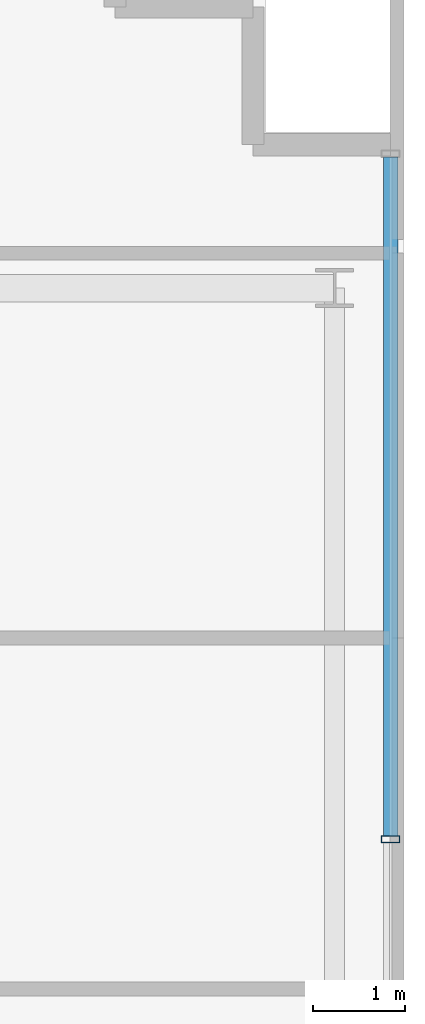
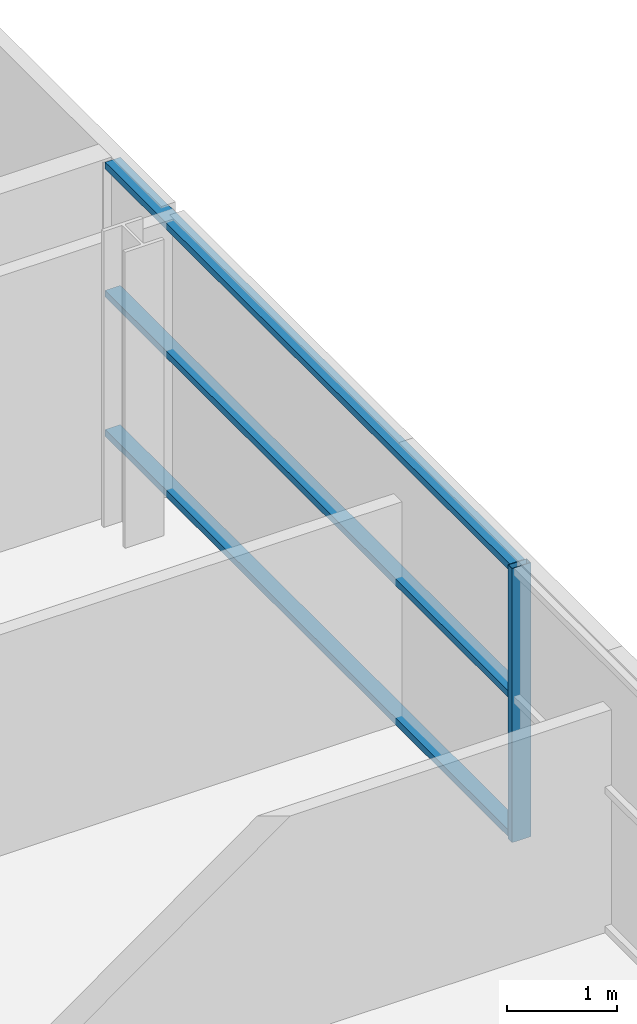
# One storey, part 17 of 32: 4 members, 1 element without a shape of its own.
"""IFC4 building model written with IfcOpenShell, lengths in metres."""

from ifc_helpers import new_model, si_unit, direction, frame, origin, origin_2d, place, context, subcontext, project, spatial, hollow_rectangle, extrude, source, transform, mapped, material, layer, layer_set, material_profile, profile_set, type_object, element, aggregate, save


model = new_model("IFC4")

# Units and contexts
model_context = context("Model", 3, precision=1e-05, world=origin(), true_north=direction((0.0, 1.0)))
body_context = subcontext(model_context, "Body", "Model", "MODEL_VIEW")
ifc_project = project(units=[si_unit("LENGTHUNIT", "METRE"), si_unit("AREAUNIT", "SQUARE_METRE"), si_unit("VOLUMEUNIT", "CUBIC_METRE"), si_unit("PLANEANGLEUNIT", "RADIAN"), si_unit("MASSUNIT", "GRAM", prefix="KILO")], contexts=[model_context])

# Site, building, storey
site_placement = place(None, origin())
site = spatial("IfcSite", under=ifc_project, at=site_placement, CompositionType="ELEMENT")
building_placement = place(site_placement, origin())
building = spatial("IfcBuilding", under=site, at=building_placement, Name="Zarnakvel Exchange Tower", CompositionType="ELEMENT")
storey_placement = place(building_placement, frame((0.0, 0.0, 73.60009765625)))
storey = spatial("IfcBuildingStorey", under=building, at=storey_placement, Name="L20", CompositionType="ELEMENT", Elevation=73.60009765625)

# Curtain wall, members
ifc_material = material(Name="Architectural Bronze Anodised Aluminium", Category="aluminium")
ifc_layer = layer(ifc_material, 0.199951171875)
ifc_layer_set = layer_set([ifc_layer], Name="Architectural Bronze Anodised Aluminium")
curtain_wall_type = type_object("IfcCurtainWallType", Name="CW-04", PredefinedType="NOTDEFINED", material=ifc_layer_set)
curtain_wall_placement = place(storey_placement, origin())
curtain_wall = element("IfcCurtainWall", 1, at=curtain_wall_placement, inside=storey, type_object=curtain_wall_type, Name="L20 Curtain Wall CW-L20-E1 (CW-04)", PredefinedType="NOTDEFINED")
ifc_material_profile_1 = material_profile(ifc_material, hollow_rectangle(XDim=0.159912109375, YDim=0.074951171875, WallThickness=0.00390625, at=origin_2d()))
ifc_profile_set_1 = profile_set([ifc_material_profile_1], Name="Architectural Bronze Anodised Aluminium")
member_type_1 = type_object("IfcMemberType", Name="CWT-04", PredefinedType="USERDEFINED", material=ifc_profile_set_1)
shared_shape_1 = source(origin(), body_context, "Body", "SweptSolid", [
    extrude(hollow_rectangle(XDim=0.159912109375, YDim=0.074951171875, WallThickness=0.00390625, at=origin_2d()), origin(), (0.0, 0.0, 1.0), 7.387451171875),
])
member_1_placement = place(storey_placement, frame((32.4599609375, 7.53759765625, 0.037353515625), z_axis=(0.0, 1.0, 0.0), x_axis=(-1.0, 0.0, 0.0)))
member_1 = element("IfcMember", 2, at=member_1_placement, type_object=member_type_1, Name="CW-04 transom 4.1", ObjectType="TRANSOM", PredefinedType="USERDEFINED", context=body_context, shape_type="MappedRepresentation", body=[
    mapped(shared_shape_1, transform((0.0, 0.0, 0.0), x_axis=(1.0, 0.0, 0.0), y_axis=(0.0, 1.0, 0.0), z_axis=(0.0, 0.0, 1.0), scale=1.0)),
])
member_2_placement = place(storey_placement, frame((32.4599609375, 7.53759765625, 1.588623046875), z_axis=(0.0, 1.0, 0.0), x_axis=(-1.0, 0.0, 0.0)))
member_2 = element("IfcMember", 3, at=member_2_placement, type_object=member_type_1, Name="CW-04 transom 4.2", ObjectType="TRANSOM", PredefinedType="USERDEFINED", context=body_context, shape_type="MappedRepresentation", body=[
    mapped(shared_shape_1, transform((0.0, 0.0, 0.0), x_axis=(1.0, 0.0, 0.0), y_axis=(0.0, 1.0, 0.0), z_axis=(0.0, 0.0, 1.0), scale=1.0)),
])
member_3_placement = place(storey_placement, frame((32.4599609375, 7.53759765625, 3.017333984375), z_axis=(0.0, 1.0, 0.0), x_axis=(-1.0, 0.0, 0.0)))
member_3 = element("IfcMember", 4, at=member_3_placement, type_object=member_type_1, Name="CW-04 transom 4.3", ObjectType="TRANSOM", PredefinedType="USERDEFINED", context=body_context, shape_type="MappedRepresentation", body=[
    mapped(shared_shape_1, transform((0.0, 0.0, 0.0), x_axis=(1.0, 0.0, 0.0), y_axis=(0.0, 1.0, 0.0), z_axis=(0.0, 0.0, 1.0), scale=1.0)),
])
ifc_material_profile_2 = material_profile(ifc_material, hollow_rectangle(XDim=0.199951171875, YDim=0.074951171875, WallThickness=0.0048828125, at=origin_2d()))
ifc_profile_set_2 = profile_set([ifc_material_profile_2], Name="Architectural Bronze Anodised Aluminium")
member_type_2 = type_object("IfcMemberType", Name="CWM-04", PredefinedType="MULLION", material=ifc_profile_set_2)
shared_shape_2 = source(origin(), body_context, "Body", "SweptSolid", [
    extrude(hollow_rectangle(XDim=0.199951171875, YDim=0.074951171875, WallThickness=0.0048828125, at=origin_2d()), origin(), (0.0, 0.0, 1.0), 3.054931640625),
])
member_4_placement = place(storey_placement, frame((32.4599609375, 7.5, 0.0), z_axis=(0.0, 0.0, 1.0), x_axis=(-1.0, 0.0, 0.0)))
member_4 = element("IfcMember", 5, at=member_4_placement, type_object=member_type_2, Name="CW-04 mullion 4", PredefinedType="MULLION", context=body_context, shape_type="MappedRepresentation", body=[
    mapped(shared_shape_2, transform((0.0, 0.0, 0.0), x_axis=(1.0, 0.0, 0.0), y_axis=(0.0, 1.0, 0.0), z_axis=(0.0, 0.0, 1.0), scale=1.0)),
])
aggregate(curtain_wall, [member_4, member_1, member_2, member_3])

save(model, "model.ifc")
